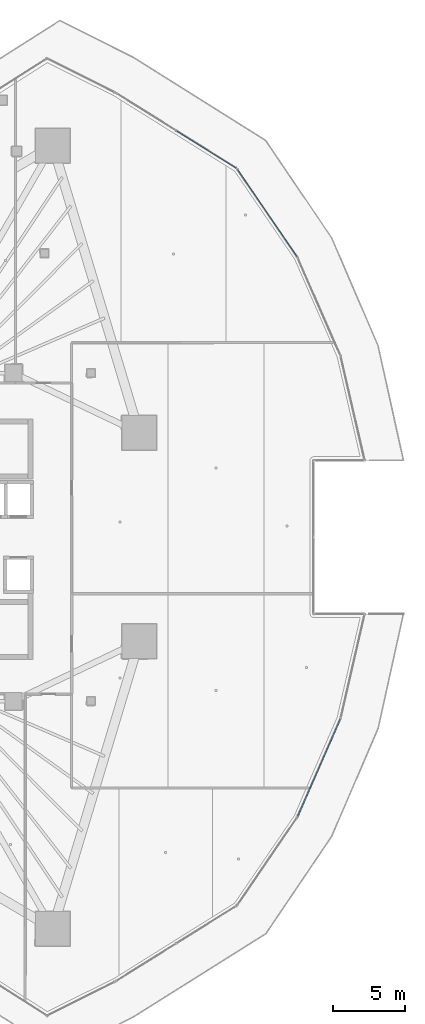
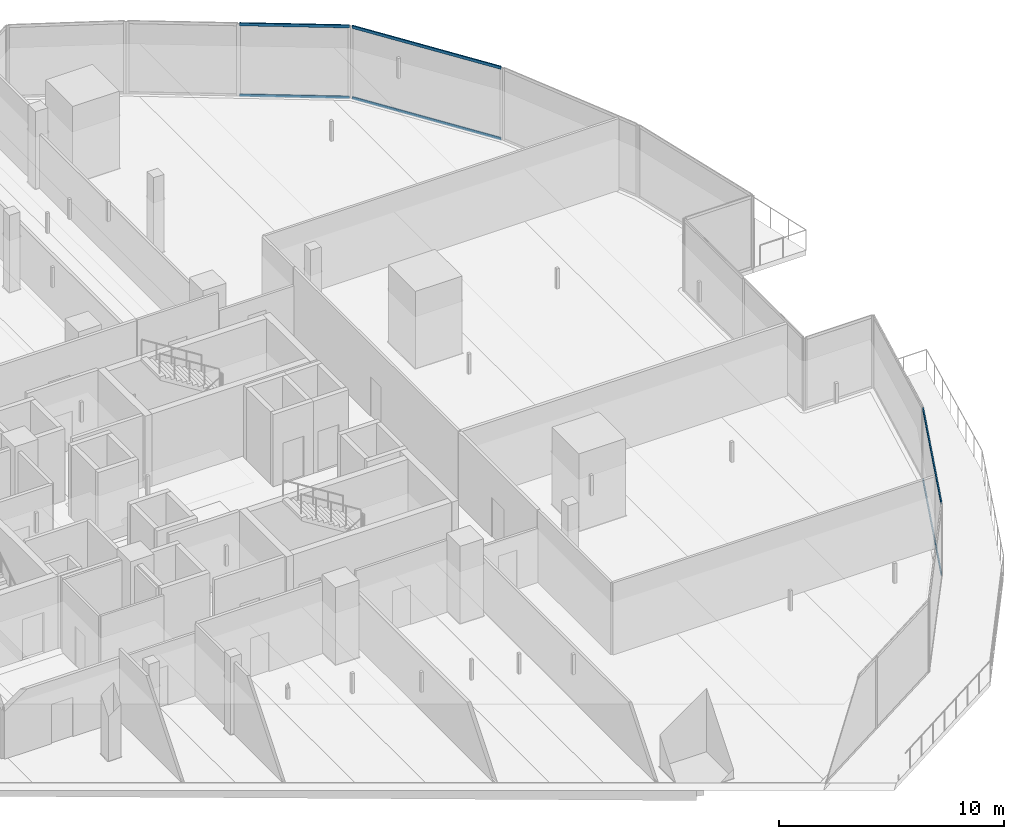
# One storey, part 23 of 44: 6 members, 3 elements without a shape of their own.
"""IFC4 building model written with IfcOpenShell, lengths in metres."""

from ifc_helpers import new_model, si_unit, direction, frame, origin, origin_2d, place, context, subcontext, project, spatial, hollow_rectangle, extrude, material, layer, layer_set, material_profile, profile_set, type_object, element, aggregate, save


model = new_model("IFC4")

# Units and contexts
model_context = context("Model", 3, precision=1e-05, world=origin(), true_north=direction((0.0, 1.0)))
body_context = subcontext(model_context, "Body", "Model", "MODEL_VIEW")
ifc_project = project(units=[si_unit("LENGTHUNIT", "METRE"), si_unit("AREAUNIT", "SQUARE_METRE"), si_unit("VOLUMEUNIT", "CUBIC_METRE"), si_unit("PLANEANGLEUNIT", "RADIAN"), si_unit("MASSUNIT", "GRAM", prefix="KILO")], contexts=[model_context])

# Site, building, storey
site_placement = place(None, origin())
site = spatial("IfcSite", under=ifc_project, at=site_placement, CompositionType="ELEMENT")
building_placement = place(site_placement, origin())
building = spatial("IfcBuilding", under=site, at=building_placement, Name="Qorvath Tower", CompositionType="ELEMENT")
storey_placement = place(building_placement, frame((0.0, 0.0, 53.39990234375)))
storey = spatial("IfcBuildingStorey", under=building, at=storey_placement, Name="L11", CompositionType="ELEMENT", Elevation=53.39990234375)

# Curtain wall, members
ifc_material_1 = material(Name="Anodised aluminium and triple low-E glass", Category="aluminium")
ifc_layer = layer(ifc_material_1, 0.179931640625)
ifc_layer_set = layer_set([ifc_layer], Name="CW-SYS-2")
curtain_wall_type = type_object("IfcCurtainWallType", Name="CW-SYS-2", PredefinedType="NOTDEFINED", material=ifc_layer_set)
curtain_wall_1_placement = place(storey_placement, origin())
curtain_wall_1 = element("IfcCurtainWall", 1, at=curtain_wall_1_placement, inside=storey, type_object=curtain_wall_type, Name="Curtain Wall CW-2 CW-T-L11-6.1", PredefinedType="NOTDEFINED")
ifc_material_2 = material(Name="Anodised aluminium 6063-T6", Category="aluminium")
ifc_material_profile = material_profile(ifc_material_2, hollow_rectangle(XDim=0.06494140625, YDim=0.159912109375, WallThickness=0.00341796875, InnerFilletRadius=0.00341796875, OuterFilletRadius=0.007080078125, at=origin_2d()), Name="CWT 160x65")
ifc_profile_set = profile_set([ifc_material_profile], Name="Anodised aluminium 6063-T6")
member_type = type_object("IfcMemberType", Name="CWT-160", PredefinedType="USERDEFINED", material=ifc_profile_set)
member_1_placement = place(storey_placement, frame((2.6494140625, -19.4697265625, 0.032470703125), z_axis=(0.401166509416, 0.916005148306, 0.0), x_axis=(-0.916005148306, 0.401166509416, 0.0)))
member_1 = element("IfcMember", 2, at=member_1_placement, type_object=member_type, Name="CW-2 transom 1.1", ObjectType="TRANSOM", PredefinedType="USERDEFINED", context=body_context, shape_type="SweptSolid", body=[
    extrude(hollow_rectangle(XDim=0.06494140625, YDim=0.159912109375, WallThickness=0.00341796875, InnerFilletRadius=0.00341796875, OuterFilletRadius=0.007080078125, at=origin_2d()), origin(), (0.0, 0.0, 1.0), 7.366943359375),
])
member_2_placement = place(storey_placement, frame((2.6494140625, -19.4697265625, 3.8876953125), z_axis=(0.401166509416, 0.916005148306, 0.0), x_axis=(-0.916005148306, 0.401166509416, 0.0)))
member_2 = element("IfcMember", 3, at=member_2_placement, type_object=member_type, Name="CW-2 transom 1.2", ObjectType="TRANSOM", PredefinedType="USERDEFINED", context=body_context, shape_type="SweptSolid", body=[
    extrude(hollow_rectangle(XDim=0.06494140625, YDim=0.159912109375, WallThickness=0.00341796875, InnerFilletRadius=0.00341796875, OuterFilletRadius=0.007080078125, at=origin_2d()), origin(), (0.0, 0.0, 1.0), 7.366943359375),
])
aggregate(curtain_wall_1, [member_1, member_2])

curtain_wall_2_placement = place(storey_placement, origin())
curtain_wall_2 = element("IfcCurtainWall", 4, at=curtain_wall_2_placement, inside=storey, type_object=curtain_wall_type, Name="Curtain Wall CW-2 CW-T-L11-13.1", PredefinedType="NOTDEFINED")
member_3_placement = place(storey_placement, frame((2.586669921875, 19.5830078125, 0.032470703125), z_axis=(-0.56390431925, 0.825840129039, 0.0), x_axis=(-0.825840129039, -0.56390431925, 0.0)))
member_3 = element("IfcMember", 5, at=member_3_placement, type_object=member_type, Name="CW-2 transom 1.1", ObjectType="TRANSOM", PredefinedType="USERDEFINED", context=body_context, shape_type="SweptSolid", body=[
    extrude(hollow_rectangle(XDim=0.06494140625, YDim=0.159912109375, WallThickness=0.00341796875, InnerFilletRadius=0.00341796875, OuterFilletRadius=0.007080078125, at=origin_2d()), origin(), (0.0, 0.0, 1.0), 7.366943359375),
])
member_4_placement = place(storey_placement, frame((2.586669921875, 19.5830078125, 3.8876953125), z_axis=(-0.56390431925, 0.825840129039, 0.0), x_axis=(-0.825840129039, -0.56390431925, 0.0)))
member_4 = element("IfcMember", 6, at=member_4_placement, type_object=member_type, Name="CW-2 transom 1.2", ObjectType="TRANSOM", PredefinedType="USERDEFINED", context=body_context, shape_type="SweptSolid", body=[
    extrude(hollow_rectangle(XDim=0.06494140625, YDim=0.159912109375, WallThickness=0.00341796875, InnerFilletRadius=0.00341796875, OuterFilletRadius=0.007080078125, at=origin_2d()), origin(), (0.0, 0.0, 1.0), 7.366943359375),
])
aggregate(curtain_wall_2, [member_3, member_4])

curtain_wall_3_placement = place(storey_placement, origin())
curtain_wall_3 = element("IfcCurtainWall", 7, at=curtain_wall_3_placement, inside=storey, type_object=curtain_wall_type, Name="Curtain Wall CW-2 CW-T-L11-14.1", PredefinedType="NOTDEFINED")
member_5_placement = place(storey_placement, frame((-1.659423828125, 25.755126953125, 0.032470703125), z_axis=(-0.848152037868, 0.529752886411, 0.0), x_axis=(-0.529752886411, -0.848152037868, 0.0)))
member_5 = element("IfcMember", 8, at=member_5_placement, type_object=member_type, Name="CW-2 transom 1.1", ObjectType="TRANSOM", PredefinedType="USERDEFINED", context=body_context, shape_type="SweptSolid", body=[
    extrude(hollow_rectangle(XDim=0.06494140625, YDim=0.159912109375, WallThickness=0.00341796875, InnerFilletRadius=0.00341796875, OuterFilletRadius=0.007080078125, at=origin_2d()), origin(), (0.0, 0.0, 1.0), 4.90576171875),
])
member_6_placement = place(storey_placement, frame((-1.659423828125, 25.755126953125, 3.8876953125), z_axis=(-0.848152037868, 0.529752886411, 0.0), x_axis=(-0.529752886411, -0.848152037868, 0.0)))
member_6 = element("IfcMember", 9, at=member_6_placement, type_object=member_type, Name="CW-2 transom 1.2", ObjectType="TRANSOM", PredefinedType="USERDEFINED", context=body_context, shape_type="SweptSolid", body=[
    extrude(hollow_rectangle(XDim=0.06494140625, YDim=0.159912109375, WallThickness=0.00341796875, InnerFilletRadius=0.00341796875, OuterFilletRadius=0.007080078125, at=origin_2d()), origin(), (0.0, 0.0, 1.0), 4.90576171875),
])
aggregate(curtain_wall_3, [member_5, member_6])

save(model, "model.ifc")
